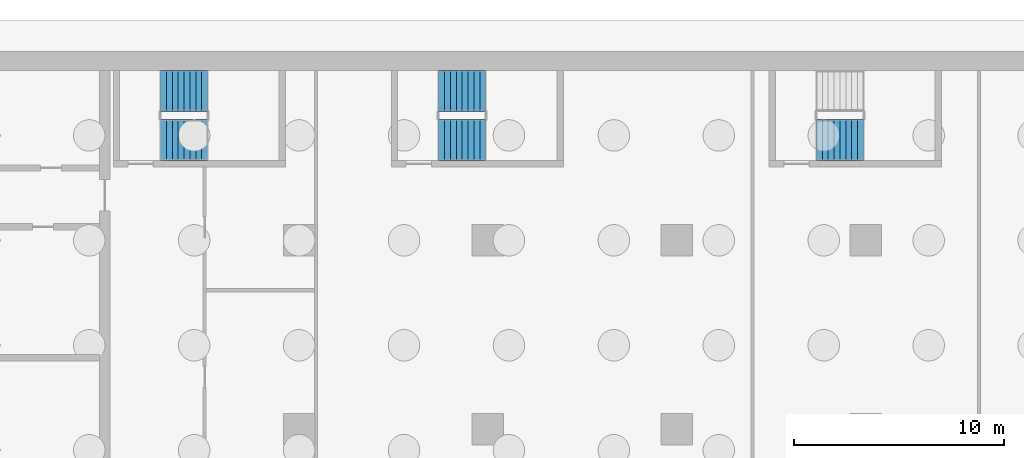
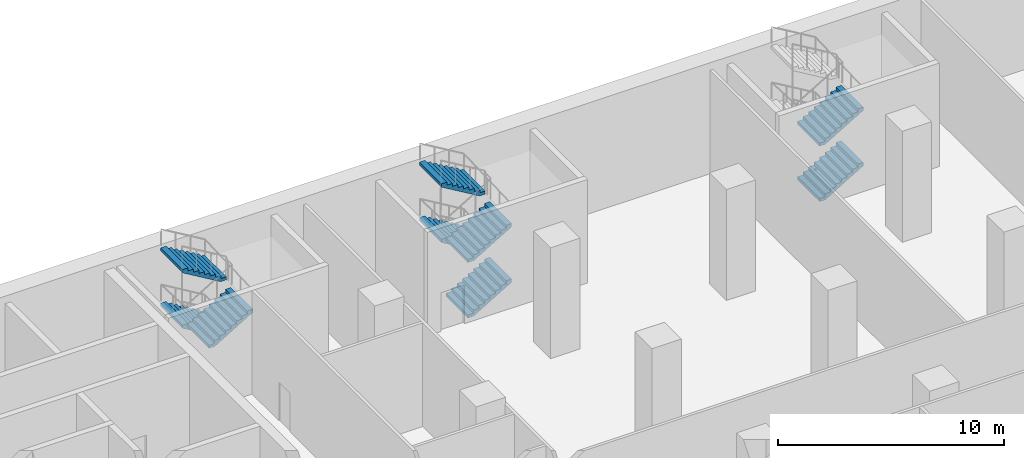
# One storey, part 15 of 25: 9 stair flights, 3 elements without a shape of their own.
"""IFC4 building model written with IfcOpenShell, lengths in metres."""

from ifc_helpers import new_model, si_unit, direction, frame, origin, place, context, subcontext, project, spatial, polyline, outline, extrude, material, type_object, element, aggregate, save


model = new_model("IFC4")

# Units and contexts
model_context = context("Model", 3, precision=1e-05, world=origin(), true_north=direction((0.0, 1.0)))
body_context = subcontext(model_context, "Body", "Model", "MODEL_VIEW")
ifc_project = project(units=[si_unit("LENGTHUNIT", "METRE"), si_unit("AREAUNIT", "SQUARE_METRE"), si_unit("VOLUMEUNIT", "CUBIC_METRE"), si_unit("PLANEANGLEUNIT", "RADIAN"), si_unit("MASSUNIT", "GRAM", prefix="KILO")], contexts=[model_context])

# Site, building, storey
site_placement = place(None, origin())
site = spatial("IfcSite", under=ifc_project, at=site_placement, CompositionType="ELEMENT")
building_placement = place(site_placement, origin())
building = spatial("IfcBuilding", under=site, at=building_placement, Name="Hunhe Ridgeline Campus", CompositionType="ELEMENT")
storey_placement = place(building_placement, frame((0.0, 0.0, -6.0)))
storey = spatial("IfcBuildingStorey", under=building, at=storey_placement, Name="B1", CompositionType="ELEMENT", Elevation=-6.0)

# Stair, stair flights
ifc_material = material(Name="Concrete C40", Category="concrete")
stair_type = type_object("IfcStairType", Name="Reinforced concrete dog-leg stair 1950 Concrete C40", PredefinedType="HALF_TURN_STAIR", material=ifc_material)
stair_1_placement = place(storey_placement, origin())
stair_1 = element("IfcStair", 1, at=stair_1_placement, inside=storey, type_object=stair_type, Name="B1 E1", PredefinedType="HALF_TURN_STAIR")
stair_flight_type = type_object("IfcStairFlightType", Name="Reinforced concrete stair flight 1950 Concrete C40", PredefinedType="STRAIGHT", material=ifc_material)
stair_flight_1_placement = place(storey_placement, frame((40.639892578125, 97.125, 1.5), z_axis=(0.0, 0.0, 1.0), x_axis=(-1.0, 0.0, 0.0)))
stair_flight_1 = element("IfcStairFlight", 2, at=stair_flight_1_placement, type_object=stair_flight_type, Name="ST5 flight 2", NumberOfRisers=9, NumberOfTreads=8, PredefinedType="STRAIGHT", RiserHeight=0.166666667, TreadLength=0.28, context=body_context, shape_type="SweptSolid", body=[
    extrude(outline(polyline([(0.0, 0.0), (0.0, 0.166748046875), (0.280029296875, 0.166748046875), (0.280029296875, 0.333251953125), (0.56005859375, 0.333251953125), (0.56005859375, 0.5), (0.840087890625, 0.5), (0.840087890625, 0.666748046875), (1.1201171875, 0.666748046875), (1.1201171875, 0.833251953125), (1.39990234375, 0.833251953125), (1.39990234375, 1.0), (1.679931640625, 1.0), (1.679931640625, 1.166748046875), (1.9599609375, 1.166748046875), (1.9599609375, 1.333251953125), (2.239990234375, 1.333251953125), (2.239990234375, 1.5), (2.239990234375, 1.158935546875), (0.29296875, 0.0), (0.0, 0.0)])), frame((0.0, 0.97509765625, 0.0), z_axis=(0.0, -1.0, 0.0), x_axis=(1.0, 0.0, 0.0)), (0.0, 0.0, 1.0), 1.949951171875),
    extrude(outline(polyline([(0.030029296875, 0.030029296875), (0.030029296875, 0.13671875), (0.31005859375, 0.13671875), (0.31005859375, 0.30322265625), (0.590087890625, 0.30322265625), (0.590087890625, 0.469970703125), (0.8701171875, 0.469970703125), (0.8701171875, 0.63671875), (1.14990234375, 0.63671875), (1.14990234375, 0.80322265625), (1.429931640625, 0.80322265625), (1.429931640625, 0.969970703125), (1.7099609375, 0.969970703125), (1.7099609375, 1.13671875), (1.989990234375, 1.13671875), (1.989990234375, 1.30322265625), (2.2099609375, 1.30322265625), (2.2099609375, 1.17578125), (0.284912109375, 0.030029296875), (0.030029296875, 0.030029296875)])), frame((0.0, -0.070068359375, 0.0), z_axis=(0.0, -1.0, 0.0), x_axis=(1.0, 0.0, 0.0)), (0.0, 0.0, 1.0), 0.019775390625),
    extrude(outline(polyline([(0.030029296875, 0.030029296875), (0.030029296875, 0.13671875), (0.31005859375, 0.13671875), (0.31005859375, 0.30322265625), (0.590087890625, 0.30322265625), (0.590087890625, 0.469970703125), (0.8701171875, 0.469970703125), (0.8701171875, 0.63671875), (1.14990234375, 0.63671875), (1.14990234375, 0.80322265625), (1.429931640625, 0.80322265625), (1.429931640625, 0.969970703125), (1.7099609375, 0.969970703125), (1.7099609375, 1.13671875), (1.989990234375, 1.13671875), (1.989990234375, 1.30322265625), (2.2099609375, 1.30322265625), (2.2099609375, 1.17578125), (0.284912109375, 0.030029296875), (0.030029296875, 0.030029296875)])), frame((0.0, 0.010009765625, 0.0), z_axis=(0.0, -1.0, 0.0), x_axis=(1.0, 0.0, 0.0)), (0.0, 0.0, 1.0), 0.019775390625),
    extrude(outline(polyline([(0.030029296875, 0.030029296875), (0.030029296875, 0.13671875), (0.31005859375, 0.13671875), (0.31005859375, 0.30322265625), (0.590087890625, 0.30322265625), (0.590087890625, 0.469970703125), (0.8701171875, 0.469970703125), (0.8701171875, 0.63671875), (1.14990234375, 0.63671875), (1.14990234375, 0.80322265625), (1.429931640625, 0.80322265625), (1.429931640625, 0.969970703125), (1.7099609375, 0.969970703125), (1.7099609375, 1.13671875), (1.989990234375, 1.13671875), (1.989990234375, 1.30322265625), (2.2099609375, 1.30322265625), (2.2099609375, 1.17578125), (0.284912109375, 0.030029296875), (0.030029296875, 0.030029296875)])), frame((0.0, 0.090087890625, 0.0), z_axis=(0.0, -1.0, 0.0), x_axis=(1.0, 0.0, 0.0)), (0.0, 0.0, 1.0), 0.019775390625),
])
stair_flight_2_placement = place(storey_placement, frame((38.39990234375, 94.77490234375, 3.0), z_axis=(0.0, 0.0, 1.0), x_axis=(1.0, 0.0, 0.0)))
stair_flight_2 = element("IfcStairFlight", 3, at=stair_flight_2_placement, type_object=stair_flight_type, Name="ST5 flight 3", NumberOfRisers=9, NumberOfTreads=8, PredefinedType="STRAIGHT", RiserHeight=0.166666667, TreadLength=0.28, context=body_context, shape_type="SweptSolid", body=[
    extrude(outline(polyline([(0.0, 0.0), (0.0, 0.166748046875), (0.280029296875, 0.166748046875), (0.280029296875, 0.333251953125), (0.56005859375, 0.333251953125), (0.56005859375, 0.5), (0.840087890625, 0.5), (0.840087890625, 0.666748046875), (1.1201171875, 0.666748046875), (1.1201171875, 0.833251953125), (1.39990234375, 0.833251953125), (1.39990234375, 1.0), (1.679931640625, 1.0), (1.679931640625, 1.166748046875), (1.9599609375, 1.166748046875), (1.9599609375, 1.333251953125), (2.239990234375, 1.333251953125), (2.239990234375, 1.5), (2.239990234375, 1.158935546875), (0.29296875, 0.0), (0.0, 0.0)])), frame((0.0, 0.97509765625, 0.0), z_axis=(0.0, -1.0, 0.0), x_axis=(1.0, 0.0, 0.0)), (0.0, 0.0, 1.0), 1.949951171875),
    extrude(outline(polyline([(0.030029296875, 0.030029296875), (0.030029296875, 0.13671875), (0.31005859375, 0.13671875), (0.31005859375, 0.30322265625), (0.590087890625, 0.30322265625), (0.590087890625, 0.469970703125), (0.8701171875, 0.469970703125), (0.8701171875, 0.63671875), (1.14990234375, 0.63671875), (1.14990234375, 0.80322265625), (1.429931640625, 0.80322265625), (1.429931640625, 0.969970703125), (1.7099609375, 0.969970703125), (1.7099609375, 1.13671875), (1.989990234375, 1.13671875), (1.989990234375, 1.30322265625), (2.2099609375, 1.30322265625), (2.2099609375, 1.17578125), (0.284912109375, 0.030029296875), (0.030029296875, 0.030029296875)])), frame((0.0, -0.070068359375, 0.0), z_axis=(0.0, -1.0, 0.0), x_axis=(1.0, 0.0, 0.0)), (0.0, 0.0, 1.0), 0.019775390625),
    extrude(outline(polyline([(0.030029296875, 0.030029296875), (0.030029296875, 0.13671875), (0.31005859375, 0.13671875), (0.31005859375, 0.30322265625), (0.590087890625, 0.30322265625), (0.590087890625, 0.469970703125), (0.8701171875, 0.469970703125), (0.8701171875, 0.63671875), (1.14990234375, 0.63671875), (1.14990234375, 0.80322265625), (1.429931640625, 0.80322265625), (1.429931640625, 0.969970703125), (1.7099609375, 0.969970703125), (1.7099609375, 1.13671875), (1.989990234375, 1.13671875), (1.989990234375, 1.30322265625), (2.2099609375, 1.30322265625), (2.2099609375, 1.17578125), (0.284912109375, 0.030029296875), (0.030029296875, 0.030029296875)])), frame((0.0, 0.010009765625, 0.0), z_axis=(0.0, -1.0, 0.0), x_axis=(1.0, 0.0, 0.0)), (0.0, 0.0, 1.0), 0.019775390625),
    extrude(outline(polyline([(0.030029296875, 0.030029296875), (0.030029296875, 0.13671875), (0.31005859375, 0.13671875), (0.31005859375, 0.30322265625), (0.590087890625, 0.30322265625), (0.590087890625, 0.469970703125), (0.8701171875, 0.469970703125), (0.8701171875, 0.63671875), (1.14990234375, 0.63671875), (1.14990234375, 0.80322265625), (1.429931640625, 0.80322265625), (1.429931640625, 0.969970703125), (1.7099609375, 0.969970703125), (1.7099609375, 1.13671875), (1.989990234375, 1.13671875), (1.989990234375, 1.30322265625), (2.2099609375, 1.30322265625), (2.2099609375, 1.17578125), (0.284912109375, 0.030029296875), (0.030029296875, 0.030029296875)])), frame((0.0, 0.090087890625, 0.0), z_axis=(0.0, -1.0, 0.0), x_axis=(1.0, 0.0, 0.0)), (0.0, 0.0, 1.0), 0.019775390625),
])
stair_flight_3_placement = place(storey_placement, frame((40.639892578125, 97.125, 4.5), z_axis=(0.0, 0.0, 1.0), x_axis=(-1.0, 0.0, 0.0)))
stair_flight_3 = element("IfcStairFlight", 4, at=stair_flight_3_placement, type_object=stair_flight_type, Name="ST5 flight 4", NumberOfRisers=9, NumberOfTreads=8, PredefinedType="STRAIGHT", RiserHeight=0.166666667, TreadLength=0.28, context=body_context, shape_type="SweptSolid", body=[
    extrude(outline(polyline([(0.0, 0.0), (0.0, 0.166748046875), (0.280029296875, 0.166748046875), (0.280029296875, 0.333251953125), (0.56005859375, 0.333251953125), (0.56005859375, 0.5), (0.840087890625, 0.5), (0.840087890625, 0.666748046875), (1.1201171875, 0.666748046875), (1.1201171875, 0.833251953125), (1.39990234375, 0.833251953125), (1.39990234375, 1.0), (1.679931640625, 1.0), (1.679931640625, 1.166748046875), (1.9599609375, 1.166748046875), (1.9599609375, 1.333251953125), (2.239990234375, 1.333251953125), (2.239990234375, 1.5), (2.239990234375, 1.158935546875), (0.29296875, 0.0), (0.0, 0.0)])), frame((0.0, 0.97509765625, 0.0), z_axis=(0.0, -1.0, 0.0), x_axis=(1.0, 0.0, 0.0)), (0.0, 0.0, 1.0), 1.949951171875),
    extrude(outline(polyline([(0.030029296875, 0.030029296875), (0.030029296875, 0.13671875), (0.31005859375, 0.13671875), (0.31005859375, 0.30322265625), (0.590087890625, 0.30322265625), (0.590087890625, 0.469970703125), (0.8701171875, 0.469970703125), (0.8701171875, 0.63671875), (1.14990234375, 0.63671875), (1.14990234375, 0.80322265625), (1.429931640625, 0.80322265625), (1.429931640625, 0.969970703125), (1.7099609375, 0.969970703125), (1.7099609375, 1.13671875), (1.989990234375, 1.13671875), (1.989990234375, 1.30322265625), (2.2099609375, 1.30322265625), (2.2099609375, 1.17578125), (0.284912109375, 0.030029296875), (0.030029296875, 0.030029296875)])), frame((0.0, -0.070068359375, 0.0), z_axis=(0.0, -1.0, 0.0), x_axis=(1.0, 0.0, 0.0)), (0.0, 0.0, 1.0), 0.019775390625),
    extrude(outline(polyline([(0.030029296875, 0.030029296875), (0.030029296875, 0.13671875), (0.31005859375, 0.13671875), (0.31005859375, 0.30322265625), (0.590087890625, 0.30322265625), (0.590087890625, 0.469970703125), (0.8701171875, 0.469970703125), (0.8701171875, 0.63671875), (1.14990234375, 0.63671875), (1.14990234375, 0.80322265625), (1.429931640625, 0.80322265625), (1.429931640625, 0.969970703125), (1.7099609375, 0.969970703125), (1.7099609375, 1.13671875), (1.989990234375, 1.13671875), (1.989990234375, 1.30322265625), (2.2099609375, 1.30322265625), (2.2099609375, 1.17578125), (0.284912109375, 0.030029296875), (0.030029296875, 0.030029296875)])), frame((0.0, 0.010009765625, 0.0), z_axis=(0.0, -1.0, 0.0), x_axis=(1.0, 0.0, 0.0)), (0.0, 0.0, 1.0), 0.019775390625),
    extrude(outline(polyline([(0.030029296875, 0.030029296875), (0.030029296875, 0.13671875), (0.31005859375, 0.13671875), (0.31005859375, 0.30322265625), (0.590087890625, 0.30322265625), (0.590087890625, 0.469970703125), (0.8701171875, 0.469970703125), (0.8701171875, 0.63671875), (1.14990234375, 0.63671875), (1.14990234375, 0.80322265625), (1.429931640625, 0.80322265625), (1.429931640625, 0.969970703125), (1.7099609375, 0.969970703125), (1.7099609375, 1.13671875), (1.989990234375, 1.13671875), (1.989990234375, 1.30322265625), (2.2099609375, 1.30322265625), (2.2099609375, 1.17578125), (0.284912109375, 0.030029296875), (0.030029296875, 0.030029296875)])), frame((0.0, 0.090087890625, 0.0), z_axis=(0.0, -1.0, 0.0), x_axis=(1.0, 0.0, 0.0)), (0.0, 0.0, 1.0), 0.019775390625),
])
aggregate(stair_1, [stair_flight_1, stair_flight_2, stair_flight_3])

stair_2_placement = place(storey_placement, origin())
stair_2 = element("IfcStair", 5, at=stair_2_placement, inside=storey, type_object=stair_type, Name="B1 E2", PredefinedType="HALF_TURN_STAIR")
stair_flight_4_placement = place(storey_placement, frame((51.64990234375, 94.77490234375, 0.0), z_axis=(0.0, 0.0, 1.0), x_axis=(1.0, 0.0, 0.0)))
stair_flight_4 = element("IfcStairFlight", 6, at=stair_flight_4_placement, type_object=stair_flight_type, Name="ST6 flight 1", NumberOfRisers=9, NumberOfTreads=8, PredefinedType="STRAIGHT", RiserHeight=0.166666667, TreadLength=0.28, context=body_context, shape_type="SweptSolid", body=[
    extrude(outline(polyline([(0.0, 0.0), (0.0, 0.166748046875), (0.280029296875, 0.166748046875), (0.280029296875, 0.333251953125), (0.56005859375, 0.333251953125), (0.56005859375, 0.5), (0.840087890625, 0.5), (0.840087890625, 0.666748046875), (1.1201171875, 0.666748046875), (1.1201171875, 0.833251953125), (1.39990234375, 0.833251953125), (1.39990234375, 1.0), (1.679931640625, 1.0), (1.679931640625, 1.166748046875), (1.9599609375, 1.166748046875), (1.9599609375, 1.333251953125), (2.239990234375, 1.333251953125), (2.239990234375, 1.5), (2.239990234375, 1.158935546875), (0.29296875, 0.0), (0.0, 0.0)])), frame((0.0, 0.97509765625, 0.0), z_axis=(0.0, -1.0, 0.0), x_axis=(1.0, 0.0, 0.0)), (0.0, 0.0, 1.0), 1.949951171875),
    extrude(outline(polyline([(0.030029296875, 0.030029296875), (0.030029296875, 0.13671875), (0.31005859375, 0.13671875), (0.31005859375, 0.30322265625), (0.590087890625, 0.30322265625), (0.590087890625, 0.469970703125), (0.8701171875, 0.469970703125), (0.8701171875, 0.63671875), (1.14990234375, 0.63671875), (1.14990234375, 0.80322265625), (1.429931640625, 0.80322265625), (1.429931640625, 0.969970703125), (1.7099609375, 0.969970703125), (1.7099609375, 1.13671875), (1.989990234375, 1.13671875), (1.989990234375, 1.30322265625), (2.2099609375, 1.30322265625), (2.2099609375, 1.17578125), (0.284912109375, 0.030029296875), (0.030029296875, 0.030029296875)])), frame((0.0, -0.070068359375, 0.0), z_axis=(0.0, -1.0, 0.0), x_axis=(1.0, 0.0, 0.0)), (0.0, 0.0, 1.0), 0.019775390625),
    extrude(outline(polyline([(0.030029296875, 0.030029296875), (0.030029296875, 0.13671875), (0.31005859375, 0.13671875), (0.31005859375, 0.30322265625), (0.590087890625, 0.30322265625), (0.590087890625, 0.469970703125), (0.8701171875, 0.469970703125), (0.8701171875, 0.63671875), (1.14990234375, 0.63671875), (1.14990234375, 0.80322265625), (1.429931640625, 0.80322265625), (1.429931640625, 0.969970703125), (1.7099609375, 0.969970703125), (1.7099609375, 1.13671875), (1.989990234375, 1.13671875), (1.989990234375, 1.30322265625), (2.2099609375, 1.30322265625), (2.2099609375, 1.17578125), (0.284912109375, 0.030029296875), (0.030029296875, 0.030029296875)])), frame((0.0, 0.010009765625, 0.0), z_axis=(0.0, -1.0, 0.0), x_axis=(1.0, 0.0, 0.0)), (0.0, 0.0, 1.0), 0.019775390625),
    extrude(outline(polyline([(0.030029296875, 0.030029296875), (0.030029296875, 0.13671875), (0.31005859375, 0.13671875), (0.31005859375, 0.30322265625), (0.590087890625, 0.30322265625), (0.590087890625, 0.469970703125), (0.8701171875, 0.469970703125), (0.8701171875, 0.63671875), (1.14990234375, 0.63671875), (1.14990234375, 0.80322265625), (1.429931640625, 0.80322265625), (1.429931640625, 0.969970703125), (1.7099609375, 0.969970703125), (1.7099609375, 1.13671875), (1.989990234375, 1.13671875), (1.989990234375, 1.30322265625), (2.2099609375, 1.30322265625), (2.2099609375, 1.17578125), (0.284912109375, 0.030029296875), (0.030029296875, 0.030029296875)])), frame((0.0, 0.090087890625, 0.0), z_axis=(0.0, -1.0, 0.0), x_axis=(1.0, 0.0, 0.0)), (0.0, 0.0, 1.0), 0.019775390625),
])
stair_flight_5_placement = place(storey_placement, frame((53.889892578125, 97.125, 1.5), z_axis=(0.0, 0.0, 1.0), x_axis=(-1.0, 0.0, 0.0)))
stair_flight_5 = element("IfcStairFlight", 7, at=stair_flight_5_placement, type_object=stair_flight_type, Name="ST6 flight 2", NumberOfRisers=9, NumberOfTreads=8, PredefinedType="STRAIGHT", RiserHeight=0.166666667, TreadLength=0.28, context=body_context, shape_type="SweptSolid", body=[
    extrude(outline(polyline([(0.0, 0.0), (0.0, 0.166748046875), (0.280029296875, 0.166748046875), (0.280029296875, 0.333251953125), (0.56005859375, 0.333251953125), (0.56005859375, 0.5), (0.840087890625, 0.5), (0.840087890625, 0.666748046875), (1.1201171875, 0.666748046875), (1.1201171875, 0.833251953125), (1.39990234375, 0.833251953125), (1.39990234375, 1.0), (1.679931640625, 1.0), (1.679931640625, 1.166748046875), (1.9599609375, 1.166748046875), (1.9599609375, 1.333251953125), (2.239990234375, 1.333251953125), (2.239990234375, 1.5), (2.239990234375, 1.158935546875), (0.29296875, 0.0), (0.0, 0.0)])), frame((0.0, 0.97509765625, 0.0), z_axis=(0.0, -1.0, 0.0), x_axis=(1.0, 0.0, 0.0)), (0.0, 0.0, 1.0), 1.949951171875),
    extrude(outline(polyline([(0.030029296875, 0.030029296875), (0.030029296875, 0.13671875), (0.31005859375, 0.13671875), (0.31005859375, 0.30322265625), (0.590087890625, 0.30322265625), (0.590087890625, 0.469970703125), (0.8701171875, 0.469970703125), (0.8701171875, 0.63671875), (1.14990234375, 0.63671875), (1.14990234375, 0.80322265625), (1.429931640625, 0.80322265625), (1.429931640625, 0.969970703125), (1.7099609375, 0.969970703125), (1.7099609375, 1.13671875), (1.989990234375, 1.13671875), (1.989990234375, 1.30322265625), (2.2099609375, 1.30322265625), (2.2099609375, 1.17578125), (0.284912109375, 0.030029296875), (0.030029296875, 0.030029296875)])), frame((0.0, -0.070068359375, 0.0), z_axis=(0.0, -1.0, 0.0), x_axis=(1.0, 0.0, 0.0)), (0.0, 0.0, 1.0), 0.019775390625),
    extrude(outline(polyline([(0.030029296875, 0.030029296875), (0.030029296875, 0.13671875), (0.31005859375, 0.13671875), (0.31005859375, 0.30322265625), (0.590087890625, 0.30322265625), (0.590087890625, 0.469970703125), (0.8701171875, 0.469970703125), (0.8701171875, 0.63671875), (1.14990234375, 0.63671875), (1.14990234375, 0.80322265625), (1.429931640625, 0.80322265625), (1.429931640625, 0.969970703125), (1.7099609375, 0.969970703125), (1.7099609375, 1.13671875), (1.989990234375, 1.13671875), (1.989990234375, 1.30322265625), (2.2099609375, 1.30322265625), (2.2099609375, 1.17578125), (0.284912109375, 0.030029296875), (0.030029296875, 0.030029296875)])), frame((0.0, 0.010009765625, 0.0), z_axis=(0.0, -1.0, 0.0), x_axis=(1.0, 0.0, 0.0)), (0.0, 0.0, 1.0), 0.019775390625),
    extrude(outline(polyline([(0.030029296875, 0.030029296875), (0.030029296875, 0.13671875), (0.31005859375, 0.13671875), (0.31005859375, 0.30322265625), (0.590087890625, 0.30322265625), (0.590087890625, 0.469970703125), (0.8701171875, 0.469970703125), (0.8701171875, 0.63671875), (1.14990234375, 0.63671875), (1.14990234375, 0.80322265625), (1.429931640625, 0.80322265625), (1.429931640625, 0.969970703125), (1.7099609375, 0.969970703125), (1.7099609375, 1.13671875), (1.989990234375, 1.13671875), (1.989990234375, 1.30322265625), (2.2099609375, 1.30322265625), (2.2099609375, 1.17578125), (0.284912109375, 0.030029296875), (0.030029296875, 0.030029296875)])), frame((0.0, 0.090087890625, 0.0), z_axis=(0.0, -1.0, 0.0), x_axis=(1.0, 0.0, 0.0)), (0.0, 0.0, 1.0), 0.019775390625),
])
stair_flight_6_placement = place(storey_placement, frame((51.64990234375, 94.77490234375, 3.0), z_axis=(0.0, 0.0, 1.0), x_axis=(1.0, 0.0, 0.0)))
stair_flight_6 = element("IfcStairFlight", 8, at=stair_flight_6_placement, type_object=stair_flight_type, Name="ST6 flight 3", NumberOfRisers=9, NumberOfTreads=8, PredefinedType="STRAIGHT", RiserHeight=0.166666667, TreadLength=0.28, context=body_context, shape_type="SweptSolid", body=[
    extrude(outline(polyline([(0.0, 0.0), (0.0, 0.166748046875), (0.280029296875, 0.166748046875), (0.280029296875, 0.333251953125), (0.56005859375, 0.333251953125), (0.56005859375, 0.5), (0.840087890625, 0.5), (0.840087890625, 0.666748046875), (1.1201171875, 0.666748046875), (1.1201171875, 0.833251953125), (1.39990234375, 0.833251953125), (1.39990234375, 1.0), (1.679931640625, 1.0), (1.679931640625, 1.166748046875), (1.9599609375, 1.166748046875), (1.9599609375, 1.333251953125), (2.239990234375, 1.333251953125), (2.239990234375, 1.5), (2.239990234375, 1.158935546875), (0.29296875, 0.0), (0.0, 0.0)])), frame((0.0, 0.97509765625, 0.0), z_axis=(0.0, -1.0, 0.0), x_axis=(1.0, 0.0, 0.0)), (0.0, 0.0, 1.0), 1.949951171875),
    extrude(outline(polyline([(0.030029296875, 0.030029296875), (0.030029296875, 0.13671875), (0.31005859375, 0.13671875), (0.31005859375, 0.30322265625), (0.590087890625, 0.30322265625), (0.590087890625, 0.469970703125), (0.8701171875, 0.469970703125), (0.8701171875, 0.63671875), (1.14990234375, 0.63671875), (1.14990234375, 0.80322265625), (1.429931640625, 0.80322265625), (1.429931640625, 0.969970703125), (1.7099609375, 0.969970703125), (1.7099609375, 1.13671875), (1.989990234375, 1.13671875), (1.989990234375, 1.30322265625), (2.2099609375, 1.30322265625), (2.2099609375, 1.17578125), (0.284912109375, 0.030029296875), (0.030029296875, 0.030029296875)])), frame((0.0, -0.070068359375, 0.0), z_axis=(0.0, -1.0, 0.0), x_axis=(1.0, 0.0, 0.0)), (0.0, 0.0, 1.0), 0.019775390625),
    extrude(outline(polyline([(0.030029296875, 0.030029296875), (0.030029296875, 0.13671875), (0.31005859375, 0.13671875), (0.31005859375, 0.30322265625), (0.590087890625, 0.30322265625), (0.590087890625, 0.469970703125), (0.8701171875, 0.469970703125), (0.8701171875, 0.63671875), (1.14990234375, 0.63671875), (1.14990234375, 0.80322265625), (1.429931640625, 0.80322265625), (1.429931640625, 0.969970703125), (1.7099609375, 0.969970703125), (1.7099609375, 1.13671875), (1.989990234375, 1.13671875), (1.989990234375, 1.30322265625), (2.2099609375, 1.30322265625), (2.2099609375, 1.17578125), (0.284912109375, 0.030029296875), (0.030029296875, 0.030029296875)])), frame((0.0, 0.010009765625, 0.0), z_axis=(0.0, -1.0, 0.0), x_axis=(1.0, 0.0, 0.0)), (0.0, 0.0, 1.0), 0.019775390625),
    extrude(outline(polyline([(0.030029296875, 0.030029296875), (0.030029296875, 0.13671875), (0.31005859375, 0.13671875), (0.31005859375, 0.30322265625), (0.590087890625, 0.30322265625), (0.590087890625, 0.469970703125), (0.8701171875, 0.469970703125), (0.8701171875, 0.63671875), (1.14990234375, 0.63671875), (1.14990234375, 0.80322265625), (1.429931640625, 0.80322265625), (1.429931640625, 0.969970703125), (1.7099609375, 0.969970703125), (1.7099609375, 1.13671875), (1.989990234375, 1.13671875), (1.989990234375, 1.30322265625), (2.2099609375, 1.30322265625), (2.2099609375, 1.17578125), (0.284912109375, 0.030029296875), (0.030029296875, 0.030029296875)])), frame((0.0, 0.090087890625, 0.0), z_axis=(0.0, -1.0, 0.0), x_axis=(1.0, 0.0, 0.0)), (0.0, 0.0, 1.0), 0.019775390625),
])
stair_flight_7_placement = place(storey_placement, frame((53.889892578125, 97.125, 4.5), z_axis=(0.0, 0.0, 1.0), x_axis=(-1.0, 0.0, 0.0)))
stair_flight_7 = element("IfcStairFlight", 9, at=stair_flight_7_placement, type_object=stair_flight_type, Name="ST6 flight 4", NumberOfRisers=9, NumberOfTreads=8, PredefinedType="STRAIGHT", RiserHeight=0.166666667, TreadLength=0.28, context=body_context, shape_type="SweptSolid", body=[
    extrude(outline(polyline([(0.0, 0.0), (0.0, 0.166748046875), (0.280029296875, 0.166748046875), (0.280029296875, 0.333251953125), (0.56005859375, 0.333251953125), (0.56005859375, 0.5), (0.840087890625, 0.5), (0.840087890625, 0.666748046875), (1.1201171875, 0.666748046875), (1.1201171875, 0.833251953125), (1.39990234375, 0.833251953125), (1.39990234375, 1.0), (1.679931640625, 1.0), (1.679931640625, 1.166748046875), (1.9599609375, 1.166748046875), (1.9599609375, 1.333251953125), (2.239990234375, 1.333251953125), (2.239990234375, 1.5), (2.239990234375, 1.158935546875), (0.29296875, 0.0), (0.0, 0.0)])), frame((0.0, 0.97509765625, 0.0), z_axis=(0.0, -1.0, 0.0), x_axis=(1.0, 0.0, 0.0)), (0.0, 0.0, 1.0), 1.949951171875),
    extrude(outline(polyline([(0.030029296875, 0.030029296875), (0.030029296875, 0.13671875), (0.31005859375, 0.13671875), (0.31005859375, 0.30322265625), (0.590087890625, 0.30322265625), (0.590087890625, 0.469970703125), (0.8701171875, 0.469970703125), (0.8701171875, 0.63671875), (1.14990234375, 0.63671875), (1.14990234375, 0.80322265625), (1.429931640625, 0.80322265625), (1.429931640625, 0.969970703125), (1.7099609375, 0.969970703125), (1.7099609375, 1.13671875), (1.989990234375, 1.13671875), (1.989990234375, 1.30322265625), (2.2099609375, 1.30322265625), (2.2099609375, 1.17578125), (0.284912109375, 0.030029296875), (0.030029296875, 0.030029296875)])), frame((0.0, -0.070068359375, 0.0), z_axis=(0.0, -1.0, 0.0), x_axis=(1.0, 0.0, 0.0)), (0.0, 0.0, 1.0), 0.019775390625),
    extrude(outline(polyline([(0.030029296875, 0.030029296875), (0.030029296875, 0.13671875), (0.31005859375, 0.13671875), (0.31005859375, 0.30322265625), (0.590087890625, 0.30322265625), (0.590087890625, 0.469970703125), (0.8701171875, 0.469970703125), (0.8701171875, 0.63671875), (1.14990234375, 0.63671875), (1.14990234375, 0.80322265625), (1.429931640625, 0.80322265625), (1.429931640625, 0.969970703125), (1.7099609375, 0.969970703125), (1.7099609375, 1.13671875), (1.989990234375, 1.13671875), (1.989990234375, 1.30322265625), (2.2099609375, 1.30322265625), (2.2099609375, 1.17578125), (0.284912109375, 0.030029296875), (0.030029296875, 0.030029296875)])), frame((0.0, 0.010009765625, 0.0), z_axis=(0.0, -1.0, 0.0), x_axis=(1.0, 0.0, 0.0)), (0.0, 0.0, 1.0), 0.019775390625),
    extrude(outline(polyline([(0.030029296875, 0.030029296875), (0.030029296875, 0.13671875), (0.31005859375, 0.13671875), (0.31005859375, 0.30322265625), (0.590087890625, 0.30322265625), (0.590087890625, 0.469970703125), (0.8701171875, 0.469970703125), (0.8701171875, 0.63671875), (1.14990234375, 0.63671875), (1.14990234375, 0.80322265625), (1.429931640625, 0.80322265625), (1.429931640625, 0.969970703125), (1.7099609375, 0.969970703125), (1.7099609375, 1.13671875), (1.989990234375, 1.13671875), (1.989990234375, 1.30322265625), (2.2099609375, 1.30322265625), (2.2099609375, 1.17578125), (0.284912109375, 0.030029296875), (0.030029296875, 0.030029296875)])), frame((0.0, 0.090087890625, 0.0), z_axis=(0.0, -1.0, 0.0), x_axis=(1.0, 0.0, 0.0)), (0.0, 0.0, 1.0), 0.019775390625),
])
aggregate(stair_2, [stair_flight_4, stair_flight_5, stair_flight_6, stair_flight_7])

stair_3_placement = place(storey_placement, origin())
stair_3 = element("IfcStair", 10, at=stair_3_placement, inside=storey, type_object=stair_type, Name="B1 E3", PredefinedType="HALF_TURN_STAIR")
stair_flight_8_placement = place(storey_placement, frame((69.64990234375, 94.77490234375, 0.0), z_axis=(0.0, 0.0, 1.0), x_axis=(1.0, 0.0, 0.0)))
stair_flight_8 = element("IfcStairFlight", 11, at=stair_flight_8_placement, type_object=stair_flight_type, Name="ST7 flight 1", NumberOfRisers=9, NumberOfTreads=8, PredefinedType="STRAIGHT", RiserHeight=0.166666667, TreadLength=0.28, context=body_context, shape_type="SweptSolid", body=[
    extrude(outline(polyline([(0.0, 0.0), (0.0, 0.166748046875), (0.280029296875, 0.166748046875), (0.280029296875, 0.333251953125), (0.56005859375, 0.333251953125), (0.56005859375, 0.5), (0.840087890625, 0.5), (0.840087890625, 0.666748046875), (1.1201171875, 0.666748046875), (1.1201171875, 0.833251953125), (1.39990234375, 0.833251953125), (1.39990234375, 1.0), (1.679931640625, 1.0), (1.679931640625, 1.166748046875), (1.9599609375, 1.166748046875), (1.9599609375, 1.333251953125), (2.239990234375, 1.333251953125), (2.239990234375, 1.5), (2.239990234375, 1.158935546875), (0.29296875, 0.0), (0.0, 0.0)])), frame((0.0, 0.97509765625, 0.0), z_axis=(0.0, -1.0, 0.0), x_axis=(1.0, 0.0, 0.0)), (0.0, 0.0, 1.0), 1.949951171875),
    extrude(outline(polyline([(0.030029296875, 0.030029296875), (0.030029296875, 0.13671875), (0.31005859375, 0.13671875), (0.31005859375, 0.30322265625), (0.590087890625, 0.30322265625), (0.590087890625, 0.469970703125), (0.8701171875, 0.469970703125), (0.8701171875, 0.63671875), (1.14990234375, 0.63671875), (1.14990234375, 0.80322265625), (1.429931640625, 0.80322265625), (1.429931640625, 0.969970703125), (1.7099609375, 0.969970703125), (1.7099609375, 1.13671875), (1.989990234375, 1.13671875), (1.989990234375, 1.30322265625), (2.2099609375, 1.30322265625), (2.2099609375, 1.17578125), (0.284912109375, 0.030029296875), (0.030029296875, 0.030029296875)])), frame((0.0, -0.070068359375, 0.0), z_axis=(0.0, -1.0, 0.0), x_axis=(1.0, 0.0, 0.0)), (0.0, 0.0, 1.0), 0.019775390625),
    extrude(outline(polyline([(0.030029296875, 0.030029296875), (0.030029296875, 0.13671875), (0.31005859375, 0.13671875), (0.31005859375, 0.30322265625), (0.590087890625, 0.30322265625), (0.590087890625, 0.469970703125), (0.8701171875, 0.469970703125), (0.8701171875, 0.63671875), (1.14990234375, 0.63671875), (1.14990234375, 0.80322265625), (1.429931640625, 0.80322265625), (1.429931640625, 0.969970703125), (1.7099609375, 0.969970703125), (1.7099609375, 1.13671875), (1.989990234375, 1.13671875), (1.989990234375, 1.30322265625), (2.2099609375, 1.30322265625), (2.2099609375, 1.17578125), (0.284912109375, 0.030029296875), (0.030029296875, 0.030029296875)])), frame((0.0, 0.010009765625, 0.0), z_axis=(0.0, -1.0, 0.0), x_axis=(1.0, 0.0, 0.0)), (0.0, 0.0, 1.0), 0.019775390625),
    extrude(outline(polyline([(0.030029296875, 0.030029296875), (0.030029296875, 0.13671875), (0.31005859375, 0.13671875), (0.31005859375, 0.30322265625), (0.590087890625, 0.30322265625), (0.590087890625, 0.469970703125), (0.8701171875, 0.469970703125), (0.8701171875, 0.63671875), (1.14990234375, 0.63671875), (1.14990234375, 0.80322265625), (1.429931640625, 0.80322265625), (1.429931640625, 0.969970703125), (1.7099609375, 0.969970703125), (1.7099609375, 1.13671875), (1.989990234375, 1.13671875), (1.989990234375, 1.30322265625), (2.2099609375, 1.30322265625), (2.2099609375, 1.17578125), (0.284912109375, 0.030029296875), (0.030029296875, 0.030029296875)])), frame((0.0, 0.090087890625, 0.0), z_axis=(0.0, -1.0, 0.0), x_axis=(1.0, 0.0, 0.0)), (0.0, 0.0, 1.0), 0.019775390625),
])
stair_flight_9_placement = place(storey_placement, frame((69.64990234375, 94.77490234375, 3.0), z_axis=(0.0, 0.0, 1.0), x_axis=(1.0, 0.0, 0.0)))
stair_flight_9 = element("IfcStairFlight", 12, at=stair_flight_9_placement, type_object=stair_flight_type, Name="ST7 flight 3", NumberOfRisers=9, NumberOfTreads=8, PredefinedType="STRAIGHT", RiserHeight=0.166666667, TreadLength=0.28, context=body_context, shape_type="SweptSolid", body=[
    extrude(outline(polyline([(0.0, 0.0), (0.0, 0.166748046875), (0.280029296875, 0.166748046875), (0.280029296875, 0.333251953125), (0.56005859375, 0.333251953125), (0.56005859375, 0.5), (0.840087890625, 0.5), (0.840087890625, 0.666748046875), (1.1201171875, 0.666748046875), (1.1201171875, 0.833251953125), (1.39990234375, 0.833251953125), (1.39990234375, 1.0), (1.679931640625, 1.0), (1.679931640625, 1.166748046875), (1.9599609375, 1.166748046875), (1.9599609375, 1.333251953125), (2.239990234375, 1.333251953125), (2.239990234375, 1.5), (2.239990234375, 1.158935546875), (0.29296875, 0.0), (0.0, 0.0)])), frame((0.0, 0.97509765625, 0.0), z_axis=(0.0, -1.0, 0.0), x_axis=(1.0, 0.0, 0.0)), (0.0, 0.0, 1.0), 1.949951171875),
    extrude(outline(polyline([(0.030029296875, 0.030029296875), (0.030029296875, 0.13671875), (0.31005859375, 0.13671875), (0.31005859375, 0.30322265625), (0.590087890625, 0.30322265625), (0.590087890625, 0.469970703125), (0.8701171875, 0.469970703125), (0.8701171875, 0.63671875), (1.14990234375, 0.63671875), (1.14990234375, 0.80322265625), (1.429931640625, 0.80322265625), (1.429931640625, 0.969970703125), (1.7099609375, 0.969970703125), (1.7099609375, 1.13671875), (1.989990234375, 1.13671875), (1.989990234375, 1.30322265625), (2.2099609375, 1.30322265625), (2.2099609375, 1.17578125), (0.284912109375, 0.030029296875), (0.030029296875, 0.030029296875)])), frame((0.0, -0.070068359375, 0.0), z_axis=(0.0, -1.0, 0.0), x_axis=(1.0, 0.0, 0.0)), (0.0, 0.0, 1.0), 0.019775390625),
    extrude(outline(polyline([(0.030029296875, 0.030029296875), (0.030029296875, 0.13671875), (0.31005859375, 0.13671875), (0.31005859375, 0.30322265625), (0.590087890625, 0.30322265625), (0.590087890625, 0.469970703125), (0.8701171875, 0.469970703125), (0.8701171875, 0.63671875), (1.14990234375, 0.63671875), (1.14990234375, 0.80322265625), (1.429931640625, 0.80322265625), (1.429931640625, 0.969970703125), (1.7099609375, 0.969970703125), (1.7099609375, 1.13671875), (1.989990234375, 1.13671875), (1.989990234375, 1.30322265625), (2.2099609375, 1.30322265625), (2.2099609375, 1.17578125), (0.284912109375, 0.030029296875), (0.030029296875, 0.030029296875)])), frame((0.0, 0.010009765625, 0.0), z_axis=(0.0, -1.0, 0.0), x_axis=(1.0, 0.0, 0.0)), (0.0, 0.0, 1.0), 0.019775390625),
    extrude(outline(polyline([(0.030029296875, 0.030029296875), (0.030029296875, 0.13671875), (0.31005859375, 0.13671875), (0.31005859375, 0.30322265625), (0.590087890625, 0.30322265625), (0.590087890625, 0.469970703125), (0.8701171875, 0.469970703125), (0.8701171875, 0.63671875), (1.14990234375, 0.63671875), (1.14990234375, 0.80322265625), (1.429931640625, 0.80322265625), (1.429931640625, 0.969970703125), (1.7099609375, 0.969970703125), (1.7099609375, 1.13671875), (1.989990234375, 1.13671875), (1.989990234375, 1.30322265625), (2.2099609375, 1.30322265625), (2.2099609375, 1.17578125), (0.284912109375, 0.030029296875), (0.030029296875, 0.030029296875)])), frame((0.0, 0.090087890625, 0.0), z_axis=(0.0, -1.0, 0.0), x_axis=(1.0, 0.0, 0.0)), (0.0, 0.0, 1.0), 0.019775390625),
])
aggregate(stair_3, [stair_flight_8, stair_flight_9])

save(model, "model.ifc")
